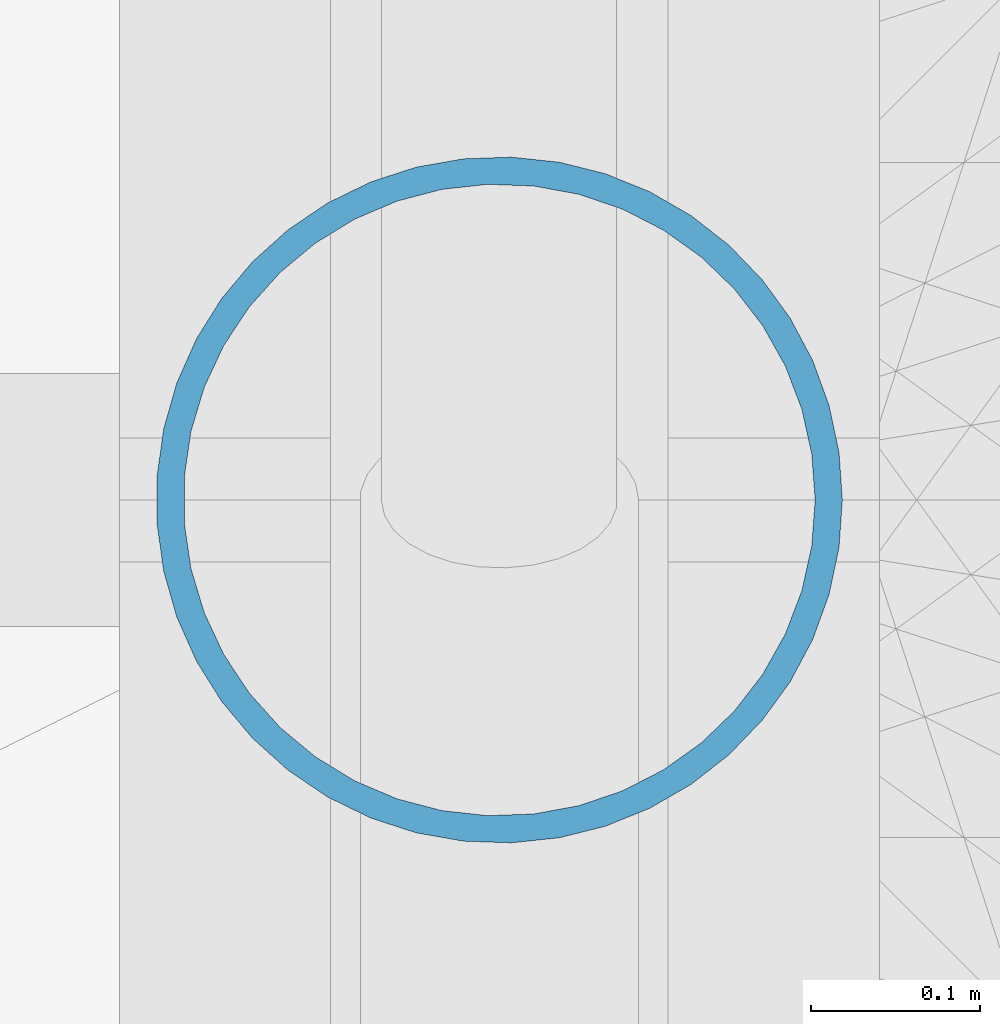
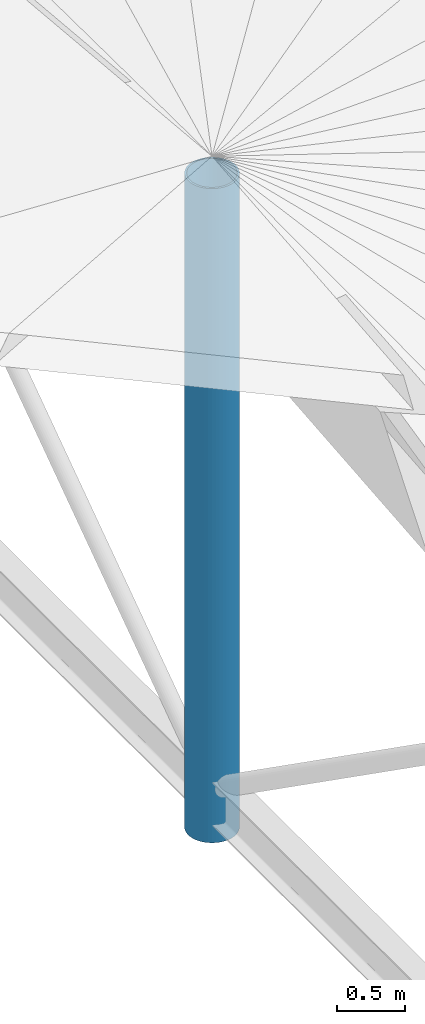
# One storey, part 5 of 23: 1 column.
"""IFC4 building model written with IfcOpenShell, lengths in metres."""

from ifc_helpers import new_model, si_unit, direction, frame, origin, origin_2d, place, context, subcontext, project, spatial, hollow_circle, extrude, material, material_profile, profile_set, type_object, element, save


model = new_model("IFC4")

# Units and contexts
model_context = context("Model", 3, precision=1e-05, world=origin(), true_north=direction((0.0, 1.0)))
body_context = subcontext(model_context, "Body", "Model", "MODEL_VIEW")
ifc_project = project(units=[si_unit("LENGTHUNIT", "METRE"), si_unit("AREAUNIT", "SQUARE_METRE"), si_unit("VOLUMEUNIT", "CUBIC_METRE"), si_unit("PLANEANGLEUNIT", "RADIAN"), si_unit("MASSUNIT", "GRAM", prefix="KILO")], contexts=[model_context])

# Site, building, storey
site_placement = place(None, origin())
site = spatial("IfcSite", under=ifc_project, at=site_placement, CompositionType="ELEMENT")
building_placement = place(site_placement, origin())
building = spatial("IfcBuilding", under=site, at=building_placement, Name="Kamomehara Wholesale Market", CompositionType="ELEMENT")
storey_placement = place(building_placement, frame((0.0, 0.0, 21.0)))
storey = spatial("IfcBuildingStorey", under=building, at=storey_placement, Name="RF", CompositionType="ELEMENT", Elevation=21.0)

# Column
ifc_material = material(Name="Steel SN490B", Category="steel")
ifc_material_profile = material_profile(ifc_material, hollow_circle(Radius=0.203125, WallThickness=0.01611328125, at=origin_2d()), Name="CHS-406.4x16.0")
ifc_profile_set = profile_set([ifc_material_profile], Name="Steel SN490B")
column_type = type_object("IfcColumnType", Name="COL-ST-CHS406", PredefinedType="COLUMN", material=ifc_profile_set)
column_placement = place(storey_placement, frame((180.0, 132.0, -9.60009765625), z_axis=(0.0, 0.0, 1.0), x_axis=(1.0, 0.0, 0.0)))
element("IfcColumn", 1, at=column_placement, inside=storey, type_object=column_type, Name="Column CS-08 RF", PredefinedType="COLUMN", context=body_context, shape_type="SweptSolid", body=[
    extrude(hollow_circle(Radius=0.203125, WallThickness=0.01611328125, at=origin_2d()), origin(), (0.0, 0.0, 1.0), 5.900146484375),
])

save(model, "model.ifc")
